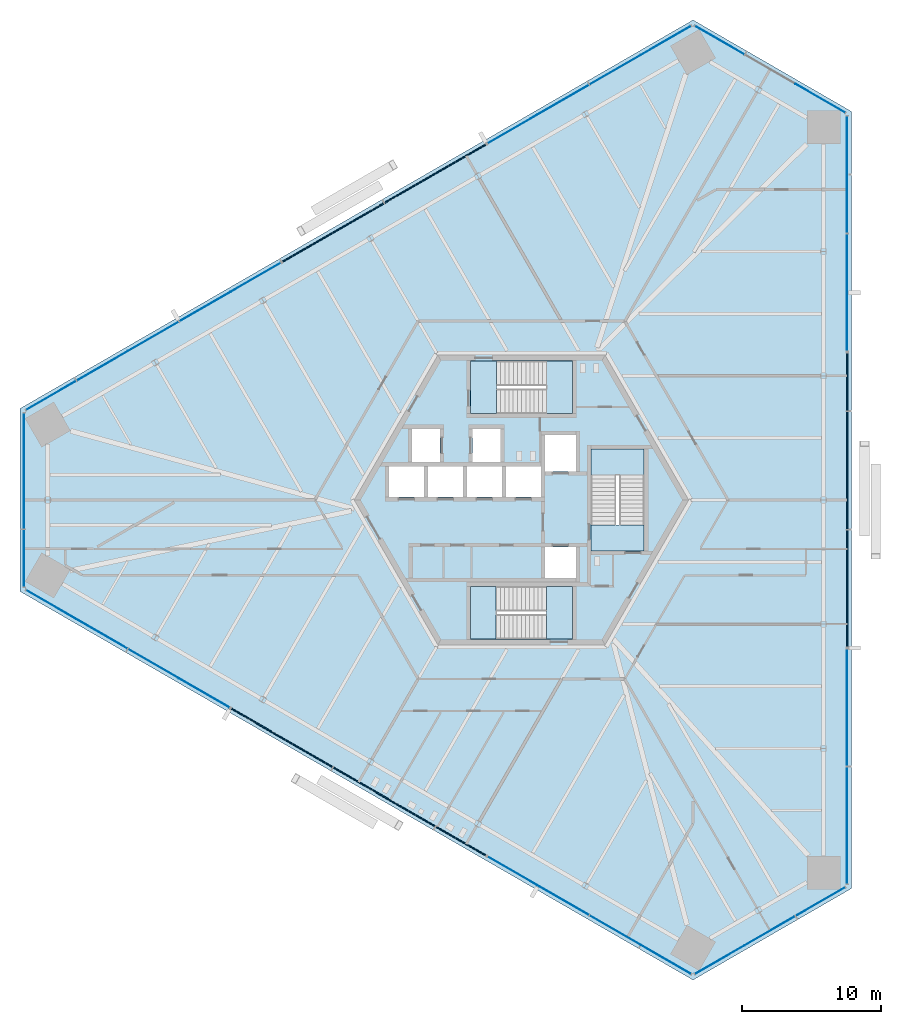
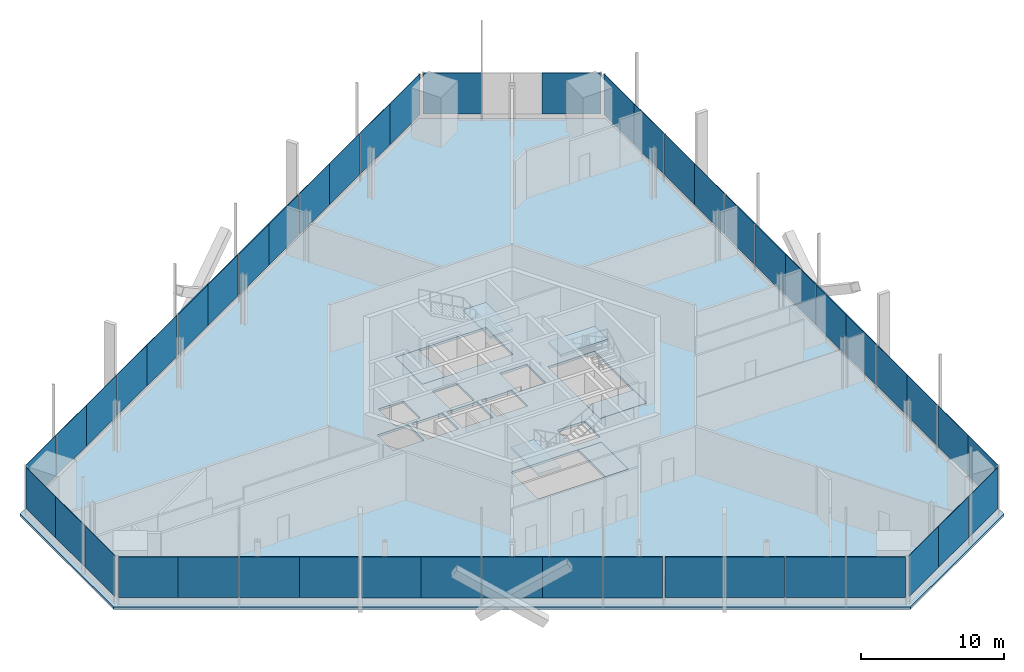
# One storey, part 8 of 18: 47 plates, 7 slabs, 15 elements without a shape of their own.
"""IFC4 building model written with IfcOpenShell, lengths in metres."""

from ifc_helpers import new_model, si_unit, direction, frame, origin, origin_2d, place, context, subcontext, project, spatial, polyline, rectangle, outline, extrude, source, transform, mapped, material, layer, layer_set, type_object, element, aggregate, save


model = new_model("IFC4")

# Units and contexts
model_context = context("Model", 3, precision=1e-05, world=origin(), true_north=direction((0.0, 1.0)))
body_context = subcontext(model_context, "Body", "Model", "MODEL_VIEW")
ifc_project = project(units=[si_unit("LENGTHUNIT", "METRE"), si_unit("AREAUNIT", "SQUARE_METRE"), si_unit("VOLUMEUNIT", "CUBIC_METRE"), si_unit("PLANEANGLEUNIT", "RADIAN"), si_unit("MASSUNIT", "GRAM", prefix="KILO")], contexts=[model_context])

# Site, building, storey
site_placement = place(None, origin())
site = spatial("IfcSite", under=ifc_project, at=site_placement, CompositionType="ELEMENT")
building_placement = place(site_placement, origin())
building = spatial("IfcBuilding", under=site, at=building_placement, Name="Triune Harvest Tower", CompositionType="ELEMENT")
storey_placement = place(building_placement, frame((0.0, 0.0, 33.199951171875)))
storey = spatial("IfcBuildingStorey", under=building, at=storey_placement, Name="L07", CompositionType="ELEMENT", Elevation=33.199951171875)

# Stair, slab
ifc_material_1 = material(Name="Concrete 40 MPa", Category="concrete")
stair_type = type_object("IfcStairType", Name="Exit stair 1800 half turn", PredefinedType="HALF_TURN_STAIR", material=ifc_material_1)
stair_1_placement = place(storey_placement, origin())
stair_1 = element("IfcStair", 1, at=stair_1_placement, inside=storey, type_object=stair_type, Name="Exit stair north", PredefinedType="HALF_TURN_STAIR")
ifc_material_2 = material(Name="Concrete 40 MPa", Category="concrete")
ifc_layer_1 = layer(ifc_material_2, 0.199951171875)
ifc_layer_set_1 = layer_set([ifc_layer_1], Name="Concrete 40 MPa")
slab_type_1 = type_object("IfcSlabType", Name="Stair landing 200", PredefinedType="LANDING", material=ifc_layer_set_1)
slab_1_placement = place(storey_placement, frame((0.0, 0.0, 1.949951171875)))
slab_1 = element("IfcSlab", 2, at=slab_1_placement, type_object=slab_type_1, Name="ST-1 landing 2", PredefinedType="LANDING", context=body_context, shape_type="SweptSolid", body=[
    extrude(outline(polyline([(1.81005859375, 6.18994140625), (3.64990234375, 6.18994140625), (3.64990234375, 9.989990234375), (1.81005859375, 9.989990234375), (1.81005859375, 6.18994140625)])), origin(), (0.0, 0.0, 1.0), 0.2001953125),
])

stair_2_placement = place(storey_placement, origin())
stair_2 = element("IfcStair", 3, at=stair_2_placement, inside=storey, type_object=stair_type, Name="Exit stair south", PredefinedType="HALF_TURN_STAIR")
slab_2_placement = place(storey_placement, frame((0.0, 0.0, 1.949951171875)))
slab_2 = element("IfcSlab", 4, at=slab_2_placement, type_object=slab_type_1, Name="ST-2 landing 2", PredefinedType="LANDING", context=body_context, shape_type="SweptSolid", body=[
    extrude(outline(polyline([(-1.81005859375, -6.18994140625), (-3.64990234375, -6.18994140625), (-3.64990234375, -9.989990234375), (-1.81005859375, -9.989990234375), (-1.81005859375, -6.18994140625)])), origin(), (0.0, 0.0, 1.0), 0.2001953125),
])

stair_3_placement = place(storey_placement, origin())
stair_3 = element("IfcStair", 5, at=stair_3_placement, inside=storey, type_object=stair_type, Name="Exit stair east", PredefinedType="HALF_TURN_STAIR")
slab_3_placement = place(storey_placement, frame((0.0, 0.0, 1.949951171875)))
slab_3 = element("IfcSlab", 6, at=slab_3_placement, type_object=slab_type_1, Name="ST-3 landing 2", PredefinedType="LANDING", context=body_context, shape_type="SweptSolid", body=[
    extrude(outline(polyline([(8.800048828125, 1.81005859375), (8.800048828125, 3.64990234375), (5.0, 3.64990234375), (5.0, 1.81005859375), (8.800048828125, 1.81005859375)])), origin(), (0.0, 0.0, 1.0), 0.2001953125),
])

# Slab
ifc_material_3 = material(Name="Concrete 40 MPa", Category="concrete")
ifc_layer_2 = layer(ifc_material_3, 0.199951171875)
ifc_layer_set_2 = layer_set([ifc_layer_2], Name="Concrete 40 MPa")
slab_type_2 = type_object("IfcSlabType", Name="SL-3 Composite floor slab 200", PredefinedType="FLOOR", material=ifc_layer_set_2)
shared_shape_1 = source(origin(), body_context, "Body", "SweptSolid", [
    extrude(outline(polyline([(23.67138671875, -27.8798828125), (23.67138671875, 27.8798828125), (12.30908203125, 34.43994140625), (-35.98046875, 6.56005859375), (-35.98046875, -6.56005859375), (12.30908203125, -34.43994140625), (23.67138671875, -27.8798828125)]), holes=[polyline([(-7.0, 0.2099609375), (-7.0, 2.409912109375), (-9.5, 2.409912109375), (-9.5, 0.2099609375), (-7.0, 0.2099609375)]), polyline([(-4.199951171875, 0.2099609375), (-4.199951171875, 2.409912109375), (-6.699951171875, 2.409912109375), (-6.699951171875, 0.2099609375), (-4.199951171875, 0.2099609375)]), polyline([(-1.39990234375, 0.2099609375), (-1.39990234375, 2.409912109375), (-3.89990234375, 2.409912109375), (-3.89990234375, 0.2099609375), (-1.39990234375, 0.2099609375)]), polyline([(1.39990234375, 0.2099609375), (1.39990234375, 2.409912109375), (-1.10009765625, 2.409912109375), (-1.10009765625, 0.2099609375), (1.39990234375, 0.2099609375)]), polyline([(3.89990234375, 2.06005859375), (3.89990234375, 4.659912109375), (1.699951171875, 4.659912109375), (1.699951171875, 2.06005859375), (3.89990234375, 2.06005859375)]), polyline([(3.89990234375, -5.590087890625), (3.89990234375, -3.389892578125), (1.699951171875, -3.389892578125), (1.699951171875, -5.590087890625), (3.89990234375, -5.590087890625)]), polyline([(-5.85009765625, 2.7099609375), (-5.85009765625, 5.110107421875), (-7.85009765625, 5.110107421875), (-7.85009765625, 2.7099609375), (-5.85009765625, 2.7099609375)]), polyline([(-1.5, 2.7099609375), (-1.5, 5.110107421875), (-3.5, 5.110107421875), (-3.5, 2.7099609375), (-1.5, 2.7099609375)]), polyline([(3.64990234375, 6.18994140625), (3.64990234375, 9.989990234375), (-3.64990234375, 9.989990234375), (-3.64990234375, 6.18994140625), (3.64990234375, 6.18994140625)]), polyline([(3.64990234375, -9.989990234375), (3.64990234375, -6.18994140625), (-3.64990234375, -6.18994140625), (-3.64990234375, -9.989990234375), (3.64990234375, -9.989990234375)]), polyline([(8.800048828125, -3.64990234375), (8.800048828125, 3.64990234375), (5.0, 3.64990234375), (5.0, -3.64990234375), (8.800048828125, -3.64990234375)])]), origin(), (0.0, 0.0, 1.0), 0.199951171875),
])
slab_4_placement = place(storey_placement, frame((0.0, 0.0, -0.199951171875)))
element("IfcSlab", 7, at=slab_4_placement, inside=storey, type_object=slab_type_2, Name="slab/L07/1", PredefinedType="FLOOR", context=body_context, shape_type="MappedRepresentation", body=[
    mapped(shared_shape_1, transform((0.0, 0.0, 0.0), scale=1.0)),
])

shared_shape_2 = source(origin(), body_context, "Body", "SweptSolid", [
    extrude(outline(polyline([(-3.64990234375, 6.18994140625), (-1.780029296875, 6.18994140625), (-1.780029296875, 9.989990234375), (-3.64990234375, 9.989990234375), (-3.64990234375, 6.18994140625)])), origin(), (0.0, 0.0, 1.0), 0.199951171875),
])
slab_5_placement = place(storey_placement, frame((0.0, 0.0, -0.199951171875)))
slab_5 = element("IfcSlab", 8, at=slab_5_placement, type_object=slab_type_1, Name="ST-1 landing 1", PredefinedType="LANDING", context=body_context, shape_type="MappedRepresentation", body=[
    mapped(shared_shape_2, transform((0.0, 0.0, 0.0), scale=1.0)),
])

aggregate(stair_1, [slab_5, slab_1])

shared_shape_3 = source(origin(), body_context, "Body", "SweptSolid", [
    extrude(outline(polyline([(3.64990234375, -6.18994140625), (1.780029296875, -6.18994140625), (1.780029296875, -9.989990234375), (3.64990234375, -9.989990234375), (3.64990234375, -6.18994140625)])), origin(), (0.0, 0.0, 1.0), 0.199951171875),
])
slab_6_placement = place(storey_placement, frame((0.0, 0.0, -0.199951171875)))
slab_6 = element("IfcSlab", 9, at=slab_6_placement, type_object=slab_type_1, Name="ST-2 landing 1", PredefinedType="LANDING", context=body_context, shape_type="MappedRepresentation", body=[
    mapped(shared_shape_3, transform((0.0, 0.0, 0.0), scale=1.0)),
])

aggregate(stair_2, [slab_6, slab_2])

shared_shape_4 = source(origin(), body_context, "Body", "SweptSolid", [
    extrude(outline(polyline([(8.800048828125, -3.64990234375), (8.800048828125, -1.780029296875), (5.0, -1.780029296875), (5.0, -3.64990234375), (8.800048828125, -3.64990234375)])), origin(), (0.0, 0.0, 1.0), 0.199951171875),
])
slab_7_placement = place(storey_placement, frame((0.0, 0.0, -0.199951171875)))
slab_7 = element("IfcSlab", 10, at=slab_7_placement, type_object=slab_type_1, Name="ST-3 landing 1", PredefinedType="LANDING", context=body_context, shape_type="MappedRepresentation", body=[
    mapped(shared_shape_4, transform((0.0, 0.0, 0.0), scale=1.0)),
])

aggregate(stair_3, [slab_7, slab_3])

# Curtain wall, plate
ifc_material_4 = material(Name="Aluminium bronze anodised", Category="aluminium")
curtain_wall_type_1 = type_object("IfcCurtainWallType", Name="CW-3 Farm floor curtain wall", PredefinedType="NOTDEFINED", material=ifc_material_4)
curtain_wall_1_placement = place(storey_placement, origin())
curtain_wall_1 = element("IfcCurtainWall", 11, at=curtain_wall_1_placement, inside=storey, type_object=curtain_wall_type_1, Name="CW-3 B1-F2 L07 run 1")
ifc_material_5 = material(Name="Glass", Category="glass")
ifc_layer_3 = layer(ifc_material_5, 0.035888671875)
ifc_layer_set_3 = layer_set([ifc_layer_3], Name="Glass")
plate_type_1 = type_object("IfcPlateType", Name="GL-3 panel 36", PredefinedType="CURTAIN_PANEL", material=ifc_layer_set_3)
shared_shape_5 = source(origin(), body_context, "Body", "SweptSolid", [
    extrude(rectangle(XDim=4.117919921875, YDim=0.035888671875, at=origin_2d()), origin(), (0.0, 0.0, 1.0), 3.5),
])
plate_1_placement = place(storey_placement, frame((21.441162109375, 28.8212890625, 0.60009765625), z_axis=(0.0, 0.0, 1.0), x_axis=(-0.866026145592, 0.499998715149, 0.0)))
plate_1 = element("IfcPlate", 12, at=plate_1_placement, type_object=plate_type_1, Name="CW-3 panel B1-F2 1.1", PredefinedType="CURTAIN_PANEL", context=body_context, shape_type="MappedRepresentation", body=[
    mapped(shared_shape_5, transform((0.0, 0.0, 0.0), scale=1.0)),
])

curtain_wall_2_placement = place(storey_placement, origin())
curtain_wall_2 = element("IfcCurtainWall", 13, at=curtain_wall_2_placement, inside=storey, type_object=curtain_wall_type_1, Name="CW-3 B1-F4 L07 run 1")
plate_2_placement = place(storey_placement, frame((-35.680419921875, 4.157958984375, 0.60009765625), z_axis=(0.0, 0.0, 1.0), x_axis=(0.0, -1.0, 0.0)))
plate_2 = element("IfcPlate", 14, at=plate_2_placement, type_object=plate_type_1, Name="CW-3 panel B1-F4 1.1", PredefinedType="CURTAIN_PANEL", context=body_context, shape_type="MappedRepresentation", body=[
    mapped(shared_shape_5, transform((0.0, 0.0, 0.0), scale=1.0)),
])

curtain_wall_3_placement = place(storey_placement, origin())
curtain_wall_3 = element("IfcCurtainWall", 15, at=curtain_wall_3_placement, inside=storey, type_object=curtain_wall_type_1, Name="CW-3 B1-F6 L07 run 1")
plate_3_placement = place(storey_placement, frame((14.239501953125, -32.979248046875, 0.60009765625), z_axis=(0.0, 0.0, 1.0), x_axis=(0.866026145592, 0.499998715149, 0.0)))
plate_3 = element("IfcPlate", 16, at=plate_3_placement, type_object=plate_type_1, Name="CW-3 panel B1-F6 1.1", PredefinedType="CURTAIN_PANEL", context=body_context, shape_type="MappedRepresentation", body=[
    mapped(shared_shape_5, transform((0.0, 0.0, 0.0), scale=1.0)),
])

# Plate
shared_shape_6 = source(origin(), body_context, "Body", "SweptSolid", [
    extrude(rectangle(XDim=4.157958984375, YDim=0.035888671875, at=origin_2d()), origin(), (0.0, 0.0, 1.0), 3.5),
])
plate_4_placement = place(storey_placement, frame((-35.680419921875, 0.02001953125, 0.60009765625), z_axis=(0.0, 0.0, 1.0), x_axis=(0.0, -1.0, 0.0)))
plate_4 = element("IfcPlate", 17, at=plate_4_placement, type_object=plate_type_1, Name="CW-3 panel B1-F4 1.2", PredefinedType="CURTAIN_PANEL", context=body_context, shape_type="MappedRepresentation", body=[
    mapped(shared_shape_6, transform((0.0, 0.0, 0.0), scale=1.0)),
])

plate_5_placement = place(storey_placement, frame((17.822998046875, -30.91015625, 0.60009765625), z_axis=(0.0, 0.0, 1.0), x_axis=(0.866026145592, 0.499998715149, 0.0)))
plate_5 = element("IfcPlate", 18, at=plate_5_placement, type_object=plate_type_1, Name="CW-3 panel B1-F6 1.2", PredefinedType="CURTAIN_PANEL", context=body_context, shape_type="MappedRepresentation", body=[
    mapped(shared_shape_6, transform((0.0, 0.0, 0.0), scale=1.0)),
])

shared_shape_7 = source(origin(), body_context, "Body", "SweptSolid", [
    extrude(rectangle(XDim=4.077880859375, YDim=0.035888671875, at=origin_2d()), origin(), (0.0, 0.0, 1.0), 3.5),
])
plate_6_placement = place(storey_placement, frame((14.22216796875, 32.989013671875, 0.60009765625), z_axis=(0.0, 0.0, 1.0), x_axis=(-0.866026145592, 0.499998715149, 0.0)))
plate_6 = element("IfcPlate", 19, at=plate_6_placement, type_object=plate_type_1, Name="CW-3 panel B1-F2 1.3", PredefinedType="CURTAIN_PANEL", context=body_context, shape_type="MappedRepresentation", body=[
    mapped(shared_shape_7, transform((0.0, 0.0, 0.0), scale=1.0)),
])

aggregate(curtain_wall_1, [plate_1, plate_6])

plate_7_placement = place(storey_placement, frame((-35.680419921875, -4.177978515625, 0.60009765625), z_axis=(0.0, 0.0, 1.0), x_axis=(0.0, -1.0, 0.0)))
plate_7 = element("IfcPlate", 20, at=plate_7_placement, type_object=plate_type_1, Name="CW-3 panel B1-F4 1.3", PredefinedType="CURTAIN_PANEL", context=body_context, shape_type="MappedRepresentation", body=[
    mapped(shared_shape_7, transform((0.0, 0.0, 0.0), scale=1.0)),
])

aggregate(curtain_wall_2, [plate_2, plate_4, plate_7])

plate_8_placement = place(storey_placement, frame((21.45849609375, -28.811279296875, 0.60009765625), z_axis=(0.0, 0.0, 1.0), x_axis=(0.866026145592, 0.499998715149, 0.0)))
plate_8 = element("IfcPlate", 21, at=plate_8_placement, type_object=plate_type_1, Name="CW-3 panel B1-F6 1.3", PredefinedType="CURTAIN_PANEL", context=body_context, shape_type="MappedRepresentation", body=[
    mapped(shared_shape_7, transform((0.0, 0.0, 0.0), scale=1.0)),
])

aggregate(curtain_wall_3, [plate_3, plate_5, plate_8])

# Curtain wall, plate
ifc_material_6 = material(Name="Aluminium bronze anodised", Category="aluminium")
curtain_wall_type_2 = type_object("IfcCurtainWallType", Name="CW-8 Farm floor curtain wall with insulated spandrel infill", PredefinedType="NOTDEFINED", material=ifc_material_6)
curtain_wall_4_placement = place(storey_placement, origin())
curtain_wall_4 = element("IfcCurtainWall", 22, at=curtain_wall_4_placement, inside=storey, type_object=curtain_wall_type_2, Name="CW-8 B1-F1 L07 run 1001")
ifc_material_7 = material(Name="Insulated spandrel panel, bronze aluminium pan", Category="aluminium")
ifc_layer_4 = layer(ifc_material_7, 0.080078125)
ifc_layer_set_4 = layer_set([ifc_layer_4], Name="Insulated spandrel panel, bronze aluminium pan")
plate_type_2 = type_object("IfcPlateType", Name="SP-1 insulated spandrel panel 80", PredefinedType="CURTAIN_PANEL", material=ifc_layer_set_4)
shared_shape_8 = source(origin(), body_context, "Body", "SweptSolid", [
    extrude(rectangle(XDim=4.168701171875, YDim=0.080078125, at=origin_2d()), origin(), (0.0, 0.0, 1.0), 3.5),
])
plate_9_placement = place(storey_placement, frame((23.371337890625, -8.45751953125, 0.60009765625), z_axis=(0.0, 0.0, 1.0), x_axis=(0.0, 1.0, 0.0)))
plate_9 = element("IfcPlate", 23, at=plate_9_placement, type_object=plate_type_2, Name="CW-8 panel B1-F1 1001.1", PredefinedType="CURTAIN_PANEL", context=body_context, shape_type="MappedRepresentation", body=[
    mapped(shared_shape_8, transform((0.0, 0.0, 0.0), scale=1.0)),
])

# Curtain wall, plates
curtain_wall_5_placement = place(storey_placement, origin())
curtain_wall_5 = element("IfcCurtainWall", 24, at=curtain_wall_5_placement, inside=storey, type_object=curtain_wall_type_2, Name="CW-8 B1-F3 L07 run 1001")
plate_10_placement = place(storey_placement, frame((-4.361328125, 24.468994140625, 0.60009765625), z_axis=(0.0, 0.0, 1.0), x_axis=(-0.866025378224, -0.500000044272, 0.0)))
plate_10 = element("IfcPlate", 25, at=plate_10_placement, type_object=plate_type_2, Name="CW-8 panel B1-F3 1001.1", PredefinedType="CURTAIN_PANEL", context=body_context, shape_type="MappedRepresentation", body=[
    mapped(shared_shape_8, transform((0.0, 0.0, 0.0), scale=1.0)),
])
plate_11_placement = place(storey_placement, frame((-15.33056640625, 18.1357421875, 0.60009765625), z_axis=(0.0, 0.0, 1.0), x_axis=(-0.866025378224, -0.500000044272, 0.0)))
plate_11 = element("IfcPlate", 26, at=plate_11_placement, type_object=plate_type_2, Name="CW-8 panel B1-F3 1001.4", PredefinedType="CURTAIN_PANEL", context=body_context, shape_type="MappedRepresentation", body=[
    mapped(shared_shape_8, transform((0.0, 0.0, 0.0), scale=1.0)),
])

# Curtain wall, plate
curtain_wall_6_placement = place(storey_placement, origin())
curtain_wall_6 = element("IfcCurtainWall", 27, at=curtain_wall_6_placement, inside=storey, type_object=curtain_wall_type_2, Name="CW-8 B1-F5 L07 run 1001")
plate_12_placement = place(storey_placement, frame((-19.010009765625, -16.011474609375, 0.60009765625), z_axis=(0.0, 0.0, 1.0), x_axis=(0.866026612754, -0.499997905997, 0.0)))
plate_12 = element("IfcPlate", 28, at=plate_12_placement, type_object=plate_type_2, Name="CW-8 panel B1-F5 1001.1", PredefinedType="CURTAIN_PANEL", context=body_context, shape_type="MappedRepresentation", body=[
    mapped(shared_shape_8, transform((0.0, 0.0, 0.0), scale=1.0)),
])

# Plate
shared_shape_9 = source(origin(), body_context, "Body", "SweptSolid", [
    extrude(rectangle(XDim=4.208740234375, YDim=0.080078125, at=origin_2d()), origin(), (0.0, 0.0, 1.0), 3.5),
])
plate_13_placement = place(storey_placement, frame((23.371337890625, -4.268798828125, 0.60009765625), z_axis=(0.0, 0.0, 1.0), x_axis=(0.0, 1.0, 0.0)))
plate_13 = element("IfcPlate", 29, at=plate_13_placement, type_object=plate_type_2, Name="CW-8 panel B1-F1 1001.2", PredefinedType="CURTAIN_PANEL", context=body_context, shape_type="MappedRepresentation", body=[
    mapped(shared_shape_9, transform((0.0, 0.0, 0.0), scale=1.0)),
])

plate_14_placement = place(storey_placement, frame((23.371337890625, 0.02001953125, 0.60009765625), z_axis=(0.0, 0.0, 1.0), x_axis=(0.0, 1.0, 0.0)))
plate_14 = element("IfcPlate", 30, at=plate_14_placement, type_object=plate_type_2, Name="CW-8 panel B1-F1 1001.3", PredefinedType="CURTAIN_PANEL", context=body_context, shape_type="MappedRepresentation", body=[
    mapped(shared_shape_9, transform((0.0, 0.0, 0.0), scale=1.0)),
])

plate_15_placement = place(storey_placement, frame((23.371337890625, 4.228759765625, 0.60009765625), z_axis=(0.0, 0.0, 1.0), x_axis=(0.0, 1.0, 0.0)))
plate_15 = element("IfcPlate", 31, at=plate_15_placement, type_object=plate_type_2, Name="CW-8 panel B1-F1 1001.4", PredefinedType="CURTAIN_PANEL", context=body_context, shape_type="MappedRepresentation", body=[
    mapped(shared_shape_9, transform((0.0, 0.0, 0.0), scale=1.0)),
])

plate_16_placement = place(storey_placement, frame((-7.98876953125, 22.37451171875, 0.60009765625), z_axis=(0.0, 0.0, 1.0), x_axis=(-0.866025378224, -0.500000044272, 0.0)))
plate_16 = element("IfcPlate", 32, at=plate_16_placement, type_object=plate_type_2, Name="CW-8 panel B1-F3 1001.2", PredefinedType="CURTAIN_PANEL", context=body_context, shape_type="MappedRepresentation", body=[
    mapped(shared_shape_9, transform((0.0, 0.0, 0.0), scale=1.0)),
])

plate_17_placement = place(storey_placement, frame((-11.703125, 20.230224609375, 0.60009765625), z_axis=(0.0, 0.0, 1.0), x_axis=(-0.866025378224, -0.500000044272, 0.0)))
plate_17 = element("IfcPlate", 33, at=plate_17_placement, type_object=plate_type_2, Name="CW-8 panel B1-F3 1001.3", PredefinedType="CURTAIN_PANEL", context=body_context, shape_type="MappedRepresentation", body=[
    mapped(shared_shape_9, transform((0.0, 0.0, 0.0), scale=1.0)),
])

aggregate(curtain_wall_5, [plate_10, plate_16, plate_17, plate_11])

plate_18_placement = place(storey_placement, frame((-15.382568359375, -18.10595703125, 0.60009765625), z_axis=(0.0, 0.0, 1.0), x_axis=(0.866026612754, -0.499997905997, 0.0)))
plate_18 = element("IfcPlate", 34, at=plate_18_placement, type_object=plate_type_2, Name="CW-8 panel B1-F5 1001.2", PredefinedType="CURTAIN_PANEL", context=body_context, shape_type="MappedRepresentation", body=[
    mapped(shared_shape_9, transform((0.0, 0.0, 0.0), scale=1.0)),
])

plate_19_placement = place(storey_placement, frame((-11.66845703125, -20.250244140625, 0.60009765625), z_axis=(0.0, 0.0, 1.0), x_axis=(0.866026612754, -0.499997905997, 0.0)))
plate_19 = element("IfcPlate", 35, at=plate_19_placement, type_object=plate_type_2, Name="CW-8 panel B1-F5 1001.3", PredefinedType="CURTAIN_PANEL", context=body_context, shape_type="MappedRepresentation", body=[
    mapped(shared_shape_9, transform((0.0, 0.0, 0.0), scale=1.0)),
])

plate_20_placement = place(storey_placement, frame((-8.0234375, -22.3544921875, 0.60009765625), z_axis=(0.0, 0.0, 1.0), x_axis=(0.866026612754, -0.499997905997, 0.0)))
plate_20 = element("IfcPlate", 36, at=plate_20_placement, type_object=plate_type_2, Name="CW-8 panel B1-F5 1001.4", PredefinedType="CURTAIN_PANEL", context=body_context, shape_type="MappedRepresentation", body=[
    mapped(shared_shape_9, transform((0.0, 0.0, 0.0), scale=1.0)),
])

shared_shape_10 = source(origin(), body_context, "Body", "SweptSolid", [
    extrude(rectangle(XDim=4.128662109375, YDim=0.080078125, at=origin_2d()), origin(), (0.0, 0.0, 1.0), 3.5),
])
plate_21_placement = place(storey_placement, frame((23.371337890625, 8.4775390625, 0.60009765625), z_axis=(0.0, 0.0, 1.0), x_axis=(0.0, 1.0, 0.0)))
plate_21 = element("IfcPlate", 37, at=plate_21_placement, type_object=plate_type_2, Name="CW-8 panel B1-F1 1001.5", PredefinedType="CURTAIN_PANEL", context=body_context, shape_type="MappedRepresentation", body=[
    mapped(shared_shape_10, transform((0.0, 0.0, 0.0), scale=1.0)),
])

aggregate(curtain_wall_4, [plate_9, plate_13, plate_14, plate_15, plate_21])

plate_22_placement = place(storey_placement, frame((-4.343994140625, -24.47900390625, 0.60009765625), z_axis=(0.0, 0.0, 1.0), x_axis=(0.866026612754, -0.499997905997, 0.0)))
plate_22 = element("IfcPlate", 38, at=plate_22_placement, type_object=plate_type_2, Name="CW-8 panel B1-F5 1001.5", PredefinedType="CURTAIN_PANEL", context=body_context, shape_type="MappedRepresentation", body=[
    mapped(shared_shape_10, transform((0.0, 0.0, 0.0), scale=1.0)),
])

aggregate(curtain_wall_6, [plate_12, plate_18, plate_19, plate_20, plate_22])

# Curtain wall, plates
curtain_wall_7_placement = place(storey_placement, origin())
curtain_wall_7 = element("IfcCurtainWall", 39, at=curtain_wall_7_placement, inside=storey, type_object=curtain_wall_type_1, Name="CW-3 B1-F1 L07 run 1")
shared_shape_11 = source(origin(), body_context, "Body", "SweptSolid", [
    extrude(rectangle(XDim=4.168701171875, YDim=0.035888671875, at=origin_2d()), origin(), (0.0, 0.0, 1.0), 3.5),
])
plate_23_placement = place(storey_placement, frame((23.371337890625, -25.452392578125, 0.60009765625), z_axis=(0.0, 0.0, 1.0), x_axis=(0.0, 1.0, 0.0)))
plate_23 = element("IfcPlate", 40, at=plate_23_placement, type_object=plate_type_1, Name="CW-3 panel B1-F1 1.1", PredefinedType="CURTAIN_PANEL", context=body_context, shape_type="MappedRepresentation", body=[
    mapped(shared_shape_11, transform((0.0, 0.0, 0.0), scale=1.0)),
])
plate_24_placement = place(storey_placement, frame((23.371337890625, -12.7861328125, 0.60009765625), z_axis=(0.0, 0.0, 1.0), x_axis=(0.0, 1.0, 0.0)))
plate_24 = element("IfcPlate", 41, at=plate_24_placement, type_object=plate_type_1, Name="CW-3 panel B1-F1 1.4", PredefinedType="CURTAIN_PANEL", context=body_context, shape_type="MappedRepresentation", body=[
    mapped(shared_shape_11, transform((0.0, 0.0, 0.0), scale=1.0)),
])

curtain_wall_8_placement = place(storey_placement, origin())
curtain_wall_8 = element("IfcCurtainWall", 42, at=curtain_wall_8_placement, inside=storey, type_object=curtain_wall_type_1, Name="CW-3 B1-F1 L07 run 2001")
plate_25_placement = place(storey_placement, frame((23.371337890625, 12.7861328125, 0.60009765625), z_axis=(0.0, 0.0, 1.0), x_axis=(0.0, 1.0, 0.0)))
plate_25 = element("IfcPlate", 43, at=plate_25_placement, type_object=plate_type_1, Name="CW-3 panel B1-F1 2001.1", PredefinedType="CURTAIN_PANEL", context=body_context, shape_type="MappedRepresentation", body=[
    mapped(shared_shape_11, transform((0.0, 0.0, 0.0), scale=1.0)),
])
plate_26_placement = place(storey_placement, frame((23.371337890625, 25.452392578125, 0.60009765625), z_axis=(0.0, 0.0, 1.0), x_axis=(0.0, 1.0, 0.0)))
plate_26 = element("IfcPlate", 44, at=plate_26_placement, type_object=plate_type_1, Name="CW-3 panel B1-F1 2001.4", PredefinedType="CURTAIN_PANEL", context=body_context, shape_type="MappedRepresentation", body=[
    mapped(shared_shape_11, transform((0.0, 0.0, 0.0), scale=1.0)),
])

curtain_wall_9_placement = place(storey_placement, origin())
curtain_wall_9 = element("IfcCurtainWall", 45, at=curtain_wall_9_placement, inside=storey, type_object=curtain_wall_type_1, Name="CW-3 B1-F3 L07 run 1")
plate_27_placement = place(storey_placement, frame((10.356689453125, 32.96630859375, 0.60009765625), z_axis=(0.0, 0.0, 1.0), x_axis=(-0.86602475583, -0.500001122288, 0.0)))
plate_27 = element("IfcPlate", 46, at=plate_27_placement, type_object=plate_type_1, Name="CW-3 panel B1-F3 1.1", PredefinedType="CURTAIN_PANEL", context=body_context, shape_type="MappedRepresentation", body=[
    mapped(shared_shape_11, transform((0.0, 0.0, 0.0), scale=1.0)),
])
plate_28_placement = place(storey_placement, frame((-0.612548828125, 26.63330078125, 0.60009765625), z_axis=(0.0, 0.0, 1.0), x_axis=(-0.86602475583, -0.500001122288, 0.0)))
plate_28 = element("IfcPlate", 47, at=plate_28_placement, type_object=plate_type_1, Name="CW-3 panel B1-F3 1.4", PredefinedType="CURTAIN_PANEL", context=body_context, shape_type="MappedRepresentation", body=[
    mapped(shared_shape_11, transform((0.0, 0.0, 0.0), scale=1.0)),
])

# Curtain wall, plate
curtain_wall_10_placement = place(storey_placement, origin())
curtain_wall_10 = element("IfcCurtainWall", 48, at=curtain_wall_10_placement, inside=storey, type_object=curtain_wall_type_1, Name="CW-3 B1-F3 L07 run 2001")
plate_29_placement = place(storey_placement, frame((-19.079345703125, 15.971435546875, 0.60009765625), z_axis=(0.0, 0.0, 1.0), x_axis=(-0.866026114839, -0.499998768415, 0.0)))
plate_29 = element("IfcPlate", 49, at=plate_29_placement, type_object=plate_type_1, Name="CW-3 panel B1-F3 2001.1", PredefinedType="CURTAIN_PANEL", context=body_context, shape_type="MappedRepresentation", body=[
    mapped(shared_shape_11, transform((0.0, 0.0, 0.0), scale=1.0)),
])

# Curtain wall, plates
curtain_wall_11_placement = place(storey_placement, origin())
curtain_wall_11 = element("IfcCurtainWall", 50, at=curtain_wall_11_placement, inside=storey, type_object=curtain_wall_type_1, Name="CW-3 B1-F5 L07 run 1")
plate_30_placement = place(storey_placement, frame((-33.728271484375, -7.513916015625, 0.60009765625), z_axis=(0.0, 0.0, 1.0), x_axis=(0.86602475583, -0.500001122288, 0.0)))
plate_30 = element("IfcPlate", 51, at=plate_30_placement, type_object=plate_type_1, Name="CW-3 panel B1-F5 1.1", PredefinedType="CURTAIN_PANEL", context=body_context, shape_type="MappedRepresentation", body=[
    mapped(shared_shape_11, transform((0.0, 0.0, 0.0), scale=1.0)),
])
plate_31_placement = place(storey_placement, frame((-22.7587890625, -13.84716796875, 0.60009765625), z_axis=(0.0, 0.0, 1.0), x_axis=(0.86602475583, -0.500001122288, 0.0)))
plate_31 = element("IfcPlate", 52, at=plate_31_placement, type_object=plate_type_1, Name="CW-3 panel B1-F5 1.4", PredefinedType="CURTAIN_PANEL", context=body_context, shape_type="MappedRepresentation", body=[
    mapped(shared_shape_11, transform((0.0, 0.0, 0.0), scale=1.0)),
])

curtain_wall_12_placement = place(storey_placement, origin())
curtain_wall_12 = element("IfcCurtainWall", 53, at=curtain_wall_12_placement, inside=storey, type_object=curtain_wall_type_1, Name="CW-3 B1-F5 L07 run 2001")
plate_32_placement = place(storey_placement, frame((-0.612548828125, -26.63330078125, 0.60009765625), z_axis=(0.0, 0.0, 1.0), x_axis=(0.86602475583, -0.500001122288, 0.0)))
plate_32 = element("IfcPlate", 54, at=plate_32_placement, type_object=plate_type_1, Name="CW-3 panel B1-F5 2001.1", PredefinedType="CURTAIN_PANEL", context=body_context, shape_type="MappedRepresentation", body=[
    mapped(shared_shape_11, transform((0.0, 0.0, 0.0), scale=1.0)),
])
plate_33_placement = place(storey_placement, frame((10.356689453125, -32.96630859375, 0.60009765625), z_axis=(0.0, 0.0, 1.0), x_axis=(0.86602475583, -0.500001122288, 0.0)))
plate_33 = element("IfcPlate", 55, at=plate_33_placement, type_object=plate_type_1, Name="CW-3 panel B1-F5 2001.4", PredefinedType="CURTAIN_PANEL", context=body_context, shape_type="MappedRepresentation", body=[
    mapped(shared_shape_11, transform((0.0, 0.0, 0.0), scale=1.0)),
])

# Plate
shared_shape_12 = source(origin(), body_context, "Body", "SweptSolid", [
    extrude(rectangle(XDim=4.208740234375, YDim=0.035888671875, at=origin_2d()), origin(), (0.0, 0.0, 1.0), 3.5),
])
plate_34_placement = place(storey_placement, frame((23.371337890625, -21.263671875, 0.60009765625), z_axis=(0.0, 0.0, 1.0), x_axis=(0.0, 1.0, 0.0)))
plate_34 = element("IfcPlate", 56, at=plate_34_placement, type_object=plate_type_1, Name="CW-3 panel B1-F1 1.2", PredefinedType="CURTAIN_PANEL", context=body_context, shape_type="MappedRepresentation", body=[
    mapped(shared_shape_12, transform((0.0, 0.0, 0.0), scale=1.0)),
])

plate_35_placement = place(storey_placement, frame((23.371337890625, -16.974853515625, 0.60009765625), z_axis=(0.0, 0.0, 1.0), x_axis=(0.0, 1.0, 0.0)))
plate_35 = element("IfcPlate", 57, at=plate_35_placement, type_object=plate_type_1, Name="CW-3 panel B1-F1 1.3", PredefinedType="CURTAIN_PANEL", context=body_context, shape_type="MappedRepresentation", body=[
    mapped(shared_shape_12, transform((0.0, 0.0, 0.0), scale=1.0)),
])

aggregate(curtain_wall_7, [plate_23, plate_34, plate_35, plate_24])

plate_36_placement = place(storey_placement, frame((23.371337890625, 16.974853515625, 0.60009765625), z_axis=(0.0, 0.0, 1.0), x_axis=(0.0, 1.0, 0.0)))
plate_36 = element("IfcPlate", 58, at=plate_36_placement, type_object=plate_type_1, Name="CW-3 panel B1-F1 2001.2", PredefinedType="CURTAIN_PANEL", context=body_context, shape_type="MappedRepresentation", body=[
    mapped(shared_shape_12, transform((0.0, 0.0, 0.0), scale=1.0)),
])

plate_37_placement = place(storey_placement, frame((23.371337890625, 21.263671875, 0.60009765625), z_axis=(0.0, 0.0, 1.0), x_axis=(0.0, 1.0, 0.0)))
plate_37 = element("IfcPlate", 59, at=plate_37_placement, type_object=plate_type_1, Name="CW-3 panel B1-F1 2001.3", PredefinedType="CURTAIN_PANEL", context=body_context, shape_type="MappedRepresentation", body=[
    mapped(shared_shape_12, transform((0.0, 0.0, 0.0), scale=1.0)),
])

aggregate(curtain_wall_8, [plate_25, plate_36, plate_37, plate_26])

plate_38_placement = place(storey_placement, frame((6.729248046875, 30.8720703125, 0.60009765625), z_axis=(0.0, 0.0, 1.0), x_axis=(-0.86602475583, -0.500001122288, 0.0)))
plate_38 = element("IfcPlate", 60, at=plate_38_placement, type_object=plate_type_1, Name="CW-3 panel B1-F3 1.2", PredefinedType="CURTAIN_PANEL", context=body_context, shape_type="MappedRepresentation", body=[
    mapped(shared_shape_12, transform((0.0, 0.0, 0.0), scale=1.0)),
])

plate_39_placement = place(storey_placement, frame((3.01513671875, 28.727783203125, 0.60009765625), z_axis=(0.0, 0.0, 1.0), x_axis=(-0.86602475583, -0.500001122288, 0.0)))
plate_39 = element("IfcPlate", 61, at=plate_39_placement, type_object=plate_type_1, Name="CW-3 panel B1-F3 1.3", PredefinedType="CURTAIN_PANEL", context=body_context, shape_type="MappedRepresentation", body=[
    mapped(shared_shape_12, transform((0.0, 0.0, 0.0), scale=1.0)),
])

aggregate(curtain_wall_9, [plate_27, plate_38, plate_39, plate_28])

plate_40_placement = place(storey_placement, frame((-22.70703125, 13.876953125, 0.60009765625), z_axis=(0.0, 0.0, 1.0), x_axis=(-0.866026114839, -0.499998768415, 0.0)))
plate_40 = element("IfcPlate", 62, at=plate_40_placement, type_object=plate_type_1, Name="CW-3 panel B1-F3 2001.2", PredefinedType="CURTAIN_PANEL", context=body_context, shape_type="MappedRepresentation", body=[
    mapped(shared_shape_12, transform((0.0, 0.0, 0.0), scale=1.0)),
])

plate_41_placement = place(storey_placement, frame((-26.421142578125, 11.732666015625, 0.60009765625), z_axis=(0.0, 0.0, 1.0), x_axis=(-0.866026114839, -0.499998768415, 0.0)))
plate_41 = element("IfcPlate", 63, at=plate_41_placement, type_object=plate_type_1, Name="CW-3 panel B1-F3 2001.3", PredefinedType="CURTAIN_PANEL", context=body_context, shape_type="MappedRepresentation", body=[
    mapped(shared_shape_12, transform((0.0, 0.0, 0.0), scale=1.0)),
])

plate_42_placement = place(storey_placement, frame((-30.06591796875, 9.62841796875, 0.60009765625), z_axis=(0.0, 0.0, 1.0), x_axis=(-0.866026114839, -0.499998768415, 0.0)))
plate_42 = element("IfcPlate", 64, at=plate_42_placement, type_object=plate_type_1, Name="CW-3 panel B1-F3 2001.4", PredefinedType="CURTAIN_PANEL", context=body_context, shape_type="MappedRepresentation", body=[
    mapped(shared_shape_12, transform((0.0, 0.0, 0.0), scale=1.0)),
])

plate_43_placement = place(storey_placement, frame((-30.1005859375, -9.6083984375, 0.60009765625), z_axis=(0.0, 0.0, 1.0), x_axis=(0.86602475583, -0.500001122288, 0.0)))
plate_43 = element("IfcPlate", 65, at=plate_43_placement, type_object=plate_type_1, Name="CW-3 panel B1-F5 1.2", PredefinedType="CURTAIN_PANEL", context=body_context, shape_type="MappedRepresentation", body=[
    mapped(shared_shape_12, transform((0.0, 0.0, 0.0), scale=1.0)),
])

plate_44_placement = place(storey_placement, frame((-26.386474609375, -11.752685546875, 0.60009765625), z_axis=(0.0, 0.0, 1.0), x_axis=(0.86602475583, -0.500001122288, 0.0)))
plate_44 = element("IfcPlate", 66, at=plate_44_placement, type_object=plate_type_1, Name="CW-3 panel B1-F5 1.3", PredefinedType="CURTAIN_PANEL", context=body_context, shape_type="MappedRepresentation", body=[
    mapped(shared_shape_12, transform((0.0, 0.0, 0.0), scale=1.0)),
])

aggregate(curtain_wall_11, [plate_30, plate_43, plate_44, plate_31])

plate_45_placement = place(storey_placement, frame((3.01513671875, -28.727783203125, 0.60009765625), z_axis=(0.0, 0.0, 1.0), x_axis=(0.86602475583, -0.500001122288, 0.0)))
plate_45 = element("IfcPlate", 67, at=plate_45_placement, type_object=plate_type_1, Name="CW-3 panel B1-F5 2001.2", PredefinedType="CURTAIN_PANEL", context=body_context, shape_type="MappedRepresentation", body=[
    mapped(shared_shape_12, transform((0.0, 0.0, 0.0), scale=1.0)),
])

plate_46_placement = place(storey_placement, frame((6.729248046875, -30.8720703125, 0.60009765625), z_axis=(0.0, 0.0, 1.0), x_axis=(0.86602475583, -0.500001122288, 0.0)))
plate_46 = element("IfcPlate", 68, at=plate_46_placement, type_object=plate_type_1, Name="CW-3 panel B1-F5 2001.3", PredefinedType="CURTAIN_PANEL", context=body_context, shape_type="MappedRepresentation", body=[
    mapped(shared_shape_12, transform((0.0, 0.0, 0.0), scale=1.0)),
])

aggregate(curtain_wall_12, [plate_32, plate_45, plate_46, plate_33])

shared_shape_13 = source(origin(), body_context, "Body", "SweptSolid", [
    extrude(rectangle(XDim=4.128662109375, YDim=0.035888671875, at=origin_2d()), origin(), (0.0, 0.0, 1.0), 3.5),
])
plate_47_placement = place(storey_placement, frame((-33.745361328125, 7.50390625, 0.60009765625), z_axis=(0.0, 0.0, 1.0), x_axis=(-0.866026114839, -0.499998768415, 0.0)))
plate_47 = element("IfcPlate", 69, at=plate_47_placement, type_object=plate_type_1, Name="CW-3 panel B1-F3 2001.5", PredefinedType="CURTAIN_PANEL", context=body_context, shape_type="MappedRepresentation", body=[
    mapped(shared_shape_13, transform((0.0, 0.0, 0.0), scale=1.0)),
])

aggregate(curtain_wall_10, [plate_29, plate_40, plate_41, plate_42, plate_47])

save(model, "model.ifc")
